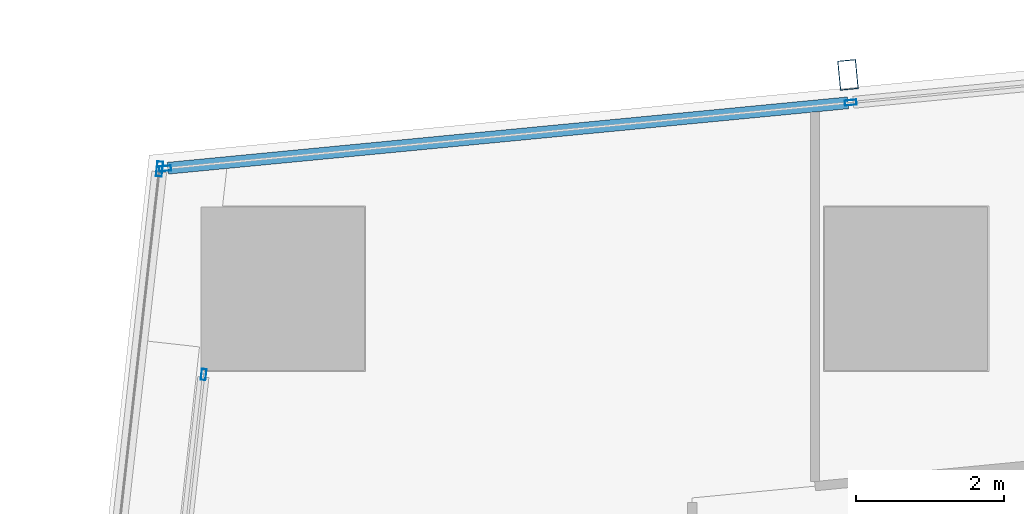
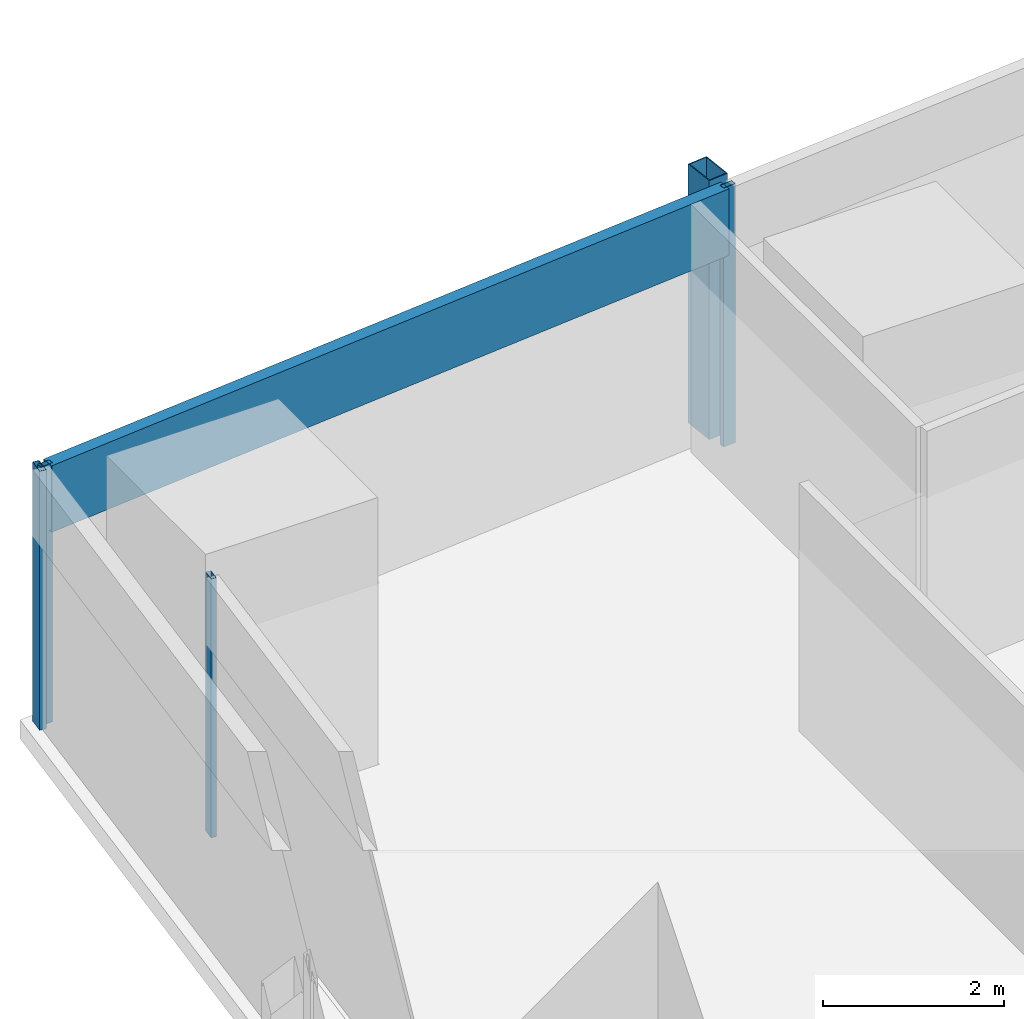
# One storey, part 16 of 44: 6 members, 3 elements without a shape of their own.
"""IFC4 building model written with IfcOpenShell, lengths in metres."""

from ifc_helpers import new_model, si_unit, direction, frame, origin, origin_2d, place, context, subcontext, project, spatial, hollow_rectangle, extrude, material, material_profile, profile_set, type_object, element, aggregate, save


model = new_model("IFC4")

# Units and contexts
model_context = context("Model", 3, precision=1e-05, world=origin(), true_north=direction((0.0, 1.0)))
body_context = subcontext(model_context, "Body", "Model", "MODEL_VIEW")
ifc_project = project(units=[si_unit("LENGTHUNIT", "METRE"), si_unit("AREAUNIT", "SQUARE_METRE"), si_unit("VOLUMEUNIT", "CUBIC_METRE"), si_unit("PLANEANGLEUNIT", "RADIAN"), si_unit("MASSUNIT", "GRAM", prefix="KILO")], contexts=[model_context])

# Site, building, storey
site_placement = place(None, origin())
site = spatial("IfcSite", under=ifc_project, at=site_placement, CompositionType="ELEMENT")
building_placement = place(site_placement, origin())
building = spatial("IfcBuilding", under=site, at=building_placement, Name="Rekha Terrace Tower", CompositionType="ELEMENT")
storey_placement = place(building_placement, frame((0.0, 0.0, 62.89990234375)))
storey = spatial("IfcBuildingStorey", under=building, at=storey_placement, Name="L15", CompositionType="ELEMENT", Elevation=62.89990234375)

# Curtain wall, member
ifc_material_1 = material(Name="Aluminium framing", Category="aluminium")
curtain_wall_type_1 = type_object("IfcCurtainWallType", Name="CW3 north unitised glazing", PredefinedType="USERDEFINED", material=ifc_material_1)
curtain_wall_1_placement = place(storey_placement, origin())
curtain_wall_1 = element("IfcCurtainWall", 1, at=curtain_wall_1_placement, inside=storey, type_object=curtain_wall_type_1, Name="CW3 unitised curtain wall", ObjectType="UNITISED CURTAIN WALL", PredefinedType="USERDEFINED")
ifc_material_2 = material(Name="Steel S355 with fluorocarbon finish", Category="steel")
ifc_material_profile_1 = material_profile(ifc_material_2, hollow_rectangle(XDim=0.25, YDim=0.39990234375, WallThickness=0.012451171875, at=origin_2d()), Name="RHS400x250x12.5")
ifc_profile_set_1 = profile_set([ifc_material_profile_1], Name="Steel S355 with fluorocarbon finish")
member_type_1 = type_object("IfcMemberType", Name="BL1 facade blade RHS 400 x 250", PredefinedType="USERDEFINED", material=ifc_profile_set_1)
member_1_placement = place(storey_placement, frame((16.01708984375, 61.681396484375, 0.0), z_axis=(0.0, 0.0, 1.0), x_axis=(-0.995409070123, -0.095711980009, 0.0)))
member_1 = element("IfcMember", 2, at=member_1_placement, type_object=member_type_1, Name="Facade blade", ObjectType="FACADE BLADE", PredefinedType="USERDEFINED", context=body_context, shape_type="SweptSolid", body=[
    extrude(hollow_rectangle(XDim=0.25, YDim=0.39990234375, WallThickness=0.012451171875, at=origin_2d()), origin(), (0.0, 0.0, 1.0), 3.5),
])

curtain_wall_type_2 = type_object("IfcCurtainWallType", Name="CW1 double skin inner glazing", PredefinedType="USERDEFINED", material=ifc_material_1)
curtain_wall_2_placement = place(storey_placement, origin())
curtain_wall_2 = element("IfcCurtainWall", 3, at=curtain_wall_2_placement, inside=storey, type_object=curtain_wall_type_2, Name="CW1 double skin inner glazing", ObjectType="DOUBLE SKIN INNER GLAZING", PredefinedType="USERDEFINED")
ifc_material_3 = material(Name="Aluminium mullion section", Category="aluminium")
ifc_material_profile_2 = material_profile(ifc_material_3, hollow_rectangle(XDim=0.06494140625, YDim=0.14990234375, WallThickness=0.00390625, at=origin_2d()), Name="AL RHS 65x150")
ifc_profile_set_2 = profile_set([ifc_material_profile_2], Name="Aluminium mullion section")
member_type_2 = type_object("IfcMemberType", Name="CW1 mullion RHS 65 x 150", PredefinedType="MULLION", material=ifc_profile_set_2)
member_2_placement = place(storey_placement, frame((7.334228515625, 57.643310546875, 0.0), z_axis=(0.0, 0.0, 1.0), x_axis=(0.993738615524, -0.111729870748, 0.0)))
member_2 = element("IfcMember", 4, at=member_2_placement, type_object=member_type_2, Name="CW1 mullion 1", PredefinedType="MULLION", context=body_context, shape_type="SweptSolid", body=[
    extrude(hollow_rectangle(XDim=0.06494140625, YDim=0.14990234375, WallThickness=0.00390625, at=origin_2d()), origin(), (0.0, 0.0, 1.0), 3.5),
])
aggregate(curtain_wall_2, [member_2])

curtain_wall_type_3 = type_object("IfcCurtainWallType", Name="CW2 double skin outer glazing", PredefinedType="USERDEFINED", material=ifc_material_1)
curtain_wall_3_placement = place(storey_placement, origin())
curtain_wall_3 = element("IfcCurtainWall", 5, at=curtain_wall_3_placement, inside=storey, type_object=curtain_wall_type_3, Name="CW2 double skin outer glazing", ObjectType="DOUBLE SKIN OUTER GLAZING", PredefinedType="USERDEFINED")
ifc_material_profile_3 = material_profile(ifc_material_3, hollow_rectangle(XDim=0.080078125, YDim=0.199951171875, WallThickness=0.00390625, at=origin_2d()), Name="AL RHS 80x200")
ifc_profile_set_3 = profile_set([ifc_material_profile_3], Name="Aluminium mullion section")
member_type_3 = type_object("IfcMemberType", Name="CW2 mullion RHS 80 x 200", PredefinedType="MULLION", material=ifc_profile_set_3)
member_3_placement = place(storey_placement, frame((6.739990234375, 60.413330078125, 0.0), z_axis=(0.0, 0.0, 1.0), x_axis=(0.99373861552, -0.111729870782, 0.0)))
member_3 = element("IfcMember", 6, at=member_3_placement, type_object=member_type_3, Name="CW2 mullion 1", PredefinedType="MULLION", context=body_context, shape_type="SweptSolid", body=[
    extrude(hollow_rectangle(XDim=0.080078125, YDim=0.199951171875, WallThickness=0.00390625, at=origin_2d()), origin(), (0.0, 0.0, 1.0), 3.5),
])
aggregate(curtain_wall_3, [member_3])

# Member
ifc_material_profile_4 = material_profile(ifc_material_3, hollow_rectangle(XDim=0.070068359375, YDim=0.159912109375, WallThickness=0.00390625, at=origin_2d()), Name="AL RHS 70x160")
ifc_profile_set_4 = profile_set([ifc_material_profile_4], Name="Aluminium mullion section")
member_type_4 = type_object("IfcMemberType", Name="CW3 mullion RHS 70 x 160", PredefinedType="MULLION", material=ifc_profile_set_4)
member_4_placement = place(storey_placement, frame((16.052978515625, 61.30810546875, 0.0), z_axis=(0.0, 0.0, 1.0), x_axis=(0.095712406625, -0.995409029102, 0.0)))
member_4 = element("IfcMember", 7, at=member_4_placement, type_object=member_type_4, Name="CW3 mullion 2", PredefinedType="MULLION", context=body_context, shape_type="SweptSolid", body=[
    extrude(hollow_rectangle(XDim=0.070068359375, YDim=0.159912109375, WallThickness=0.00390625, at=origin_2d()), origin(), (0.0, 0.0, 1.0), 3.5),
])

member_5_placement = place(storey_placement, frame((6.8154296875, 60.419677734375, 0.0), z_axis=(0.0, 0.0, 1.0), x_axis=(0.095712406625, -0.995409029102, 0.0)))
member_5 = element("IfcMember", 8, at=member_5_placement, type_object=member_type_4, Name="CW3 mullion 3", PredefinedType="MULLION", context=body_context, shape_type="SweptSolid", body=[
    extrude(hollow_rectangle(XDim=0.070068359375, YDim=0.159912109375, WallThickness=0.00390625, at=origin_2d()), origin(), (0.0, 0.0, 1.0), 3.5),
])

ifc_material_4 = material(Name="Insulated aluminium spandrel box", Category="aluminium")
ifc_material_profile_5 = material_profile(ifc_material_4, hollow_rectangle(XDim=0.159912109375, YDim=0.89990234375, WallThickness=0.0029296875, at=origin_2d()), Name="AL SPANDREL BOX 160x900")
ifc_profile_set_5 = profile_set([ifc_material_profile_5], Name="Insulated aluminium spandrel box")
member_type_5 = type_object("IfcMemberType", Name="CW3 spandrel transom 160 x 900", PredefinedType="USERDEFINED", material=ifc_profile_set_5)
member_6_placement = place(storey_placement, frame((16.018310546875, 61.3046875, 3.050048828125), z_axis=(-0.995408446287, -0.095718467713, 0.0), x_axis=(0.095718467713, -0.995408446287, 0.0)))
member_6 = element("IfcMember", 9, at=member_6_placement, type_object=member_type_5, Name="CW3 spandrel transom 2", ObjectType="TRANSOM", PredefinedType="USERDEFINED", context=body_context, shape_type="SweptSolid", body=[
    extrude(hollow_rectangle(XDim=0.159912109375, YDim=0.89990234375, WallThickness=0.0029296875, at=origin_2d()), origin(), (0.0, 0.0, 1.0), 9.210205078125),
])

aggregate(curtain_wall_1, [member_4, member_5, member_6, member_1])

save(model, "model.ifc")
